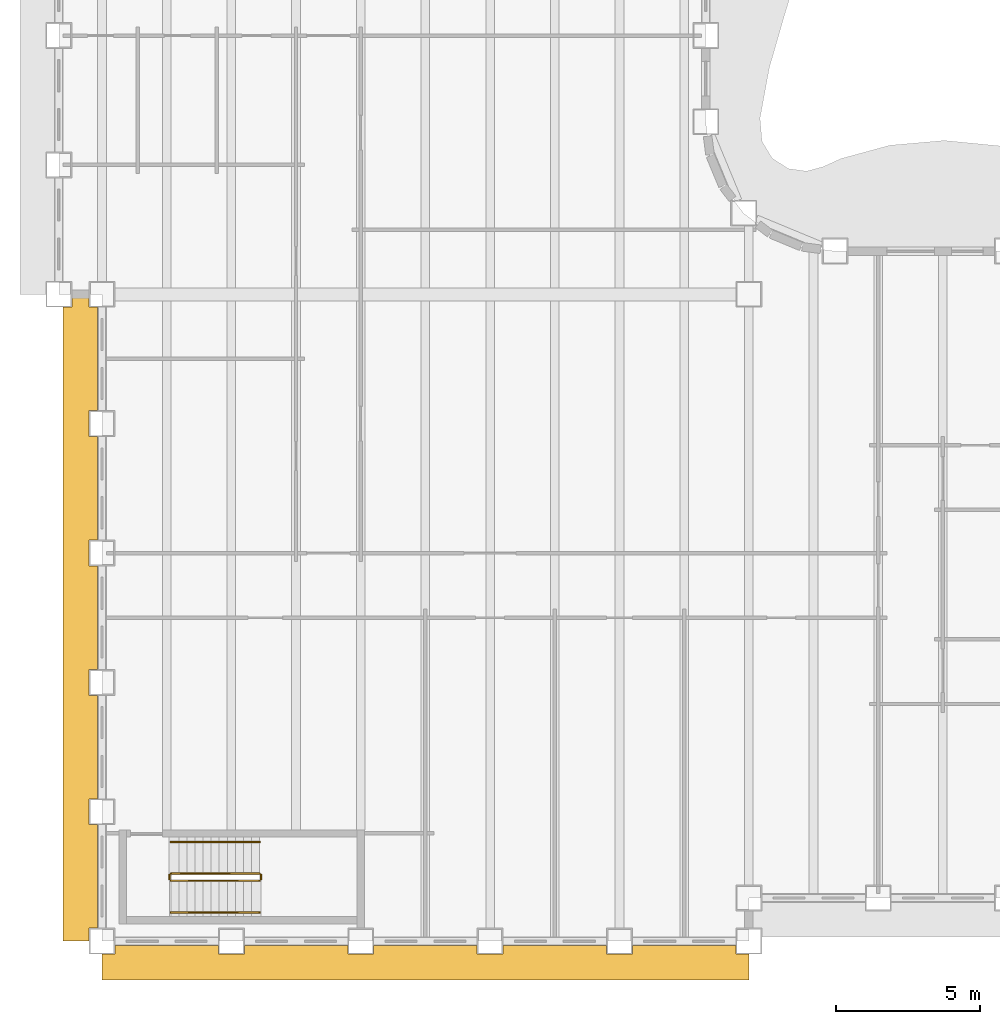
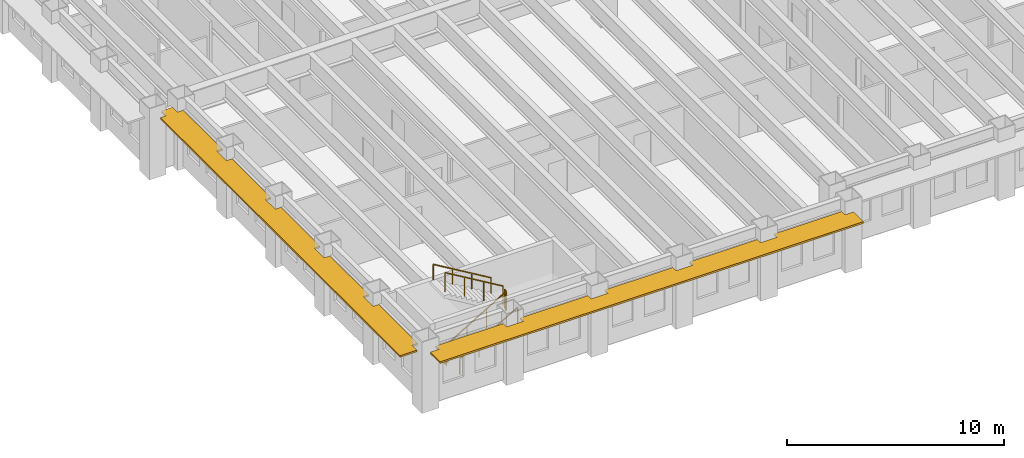
# One storey, part 11 of 16: 6 railings, 2 shading devices.
"""IFC4 building model written with IfcOpenShell, lengths in metres."""

from ifc_helpers import new_model, si_unit, direction, frame, origin, origin_2d, place, context, subcontext, project, spatial, polyline, rectangle, outline, extrude, material, layer, layer_set, type_object, element, save


model = new_model("IFC4")

# Units and contexts
model_context = context("Model", 3, precision=1e-05, world=origin(), true_north=direction((0.0, 1.0)))
body_context = subcontext(model_context, "Body", "Model", "MODEL_VIEW")
ifc_project = project(units=[si_unit("LENGTHUNIT", "METRE"), si_unit("AREAUNIT", "SQUARE_METRE"), si_unit("VOLUMEUNIT", "CUBIC_METRE"), si_unit("PLANEANGLEUNIT", "RADIAN"), si_unit("MASSUNIT", "GRAM", prefix="KILO")], contexts=[model_context])

# Site, building, storey
site_placement = place(None, origin())
site = spatial("IfcSite", under=ifc_project, at=site_placement, CompositionType="ELEMENT")
building_placement = place(site_placement, origin())
building = spatial("IfcBuilding", under=site, at=building_placement, Name="Sennacour Bend Tower", CompositionType="ELEMENT")
storey_placement = place(building_placement, frame((0.0, 0.0, 175.0)))
storey = spatial("IfcBuildingStorey", under=building, at=storey_placement, Name="L40", CompositionType="ELEMENT", Elevation=175.0)

# Railings
ifc_material_1 = material(Name="Stainless steel", Category="steel")
railing_type_1 = type_object("IfcRailingType", Name="RL-GUARD-1100", PredefinedType="GUARDRAIL", material=ifc_material_1)
railing_1_placement = place(storey_placement, frame((2.39990234375, 2.10009765625, 0.166748046875)))
element("IfcRailing", 1, at=railing_1_placement, inside=storey, type_object=railing_type_1, Name="L40 SK1 stair guard 1", PredefinedType="GUARDRAIL", context=body_context, shape_type="SweptSolid", body=[
    extrude(rectangle(XDim=0.048095703125, YDim=0.048095703125, at=origin_2d()), frame((0.0, 0.0, 1.076171875), z_axis=(0.859308565015, 0.0, 0.511457515432), x_axis=(0.0, 1.0, 0.0)), (0.0, 0.0, 1.0), 3.58447265625),
    extrude(rectangle(XDim=0.0419921875, YDim=0.0419921875, at=origin_2d()), origin(), (0.0, 0.0, 1.0), 1.052001953125),
    extrude(rectangle(XDim=0.0419921875, YDim=0.0419921875, at=origin_2d()), frame((1.026611328125, 0.0, 0.611083984375)), (0.0, 0.0, 1.0), 1.052001953125),
    extrude(rectangle(XDim=0.0419921875, YDim=0.0419921875, at=origin_2d()), frame((2.053466796875, 0.0, 1.22216796875)), (0.0, 0.0, 1.0), 1.052001953125),
    extrude(rectangle(XDim=0.0419921875, YDim=0.0419921875, at=origin_2d()), frame((3.080078125, 0.0, 1.833251953125)), (0.0, 0.0, 1.0), 1.052001953125),
])
railing_2_placement = place(storey_placement, frame((5.530029296875, 2.14990234375, 2.0)))
element("IfcRailing", 2, at=railing_2_placement, inside=storey, type_object=railing_type_1, Name="L40 SK1 stair guard 2", PredefinedType="GUARDRAIL", context=body_context, shape_type="SweptSolid", body=[
    extrude(rectangle(XDim=0.048095703125, YDim=0.048095703125, at=origin_2d()), frame((0.0, 0.0, 1.076171875), z_axis=(0.0, 1.0, 0.0), x_axis=(-1.0, 0.0, 0.0)), (0.0, 0.0, 1.0), 0.150146484375),
    extrude(rectangle(XDim=0.0419921875, YDim=0.0419921875, at=origin_2d()), origin(), (0.0, 0.0, 1.0), 1.052001953125),
    extrude(rectangle(XDim=0.0419921875, YDim=0.0419921875, at=origin_2d()), frame((0.0, 0.150146484375, 0.0)), (0.0, 0.0, 1.0), 1.052001953125),
])
railing_3_placement = place(storey_placement, frame((5.47998046875, 2.35009765625, 2.166748046875)))
element("IfcRailing", 3, at=railing_3_placement, inside=storey, type_object=railing_type_1, Name="L40 SK1 stair guard 3", PredefinedType="GUARDRAIL", context=body_context, shape_type="SweptSolid", body=[
    extrude(rectangle(XDim=0.048095703125, YDim=0.048095703125, at=origin_2d()), frame((0.0, 0.0, 1.076171875), z_axis=(-0.859308565015, 0.0, 0.511457515432), x_axis=(0.0, -1.0, 0.0)), (0.0, 0.0, 1.0), 3.58447265625),
    extrude(rectangle(XDim=0.0419921875, YDim=0.0419921875, at=origin_2d()), origin(), (0.0, 0.0, 1.0), 1.052001953125),
    extrude(rectangle(XDim=0.0419921875, YDim=0.0419921875, at=origin_2d()), frame((-1.026611328125, 0.0, 0.611083984375)), (0.0, 0.0, 1.0), 1.052001953125),
    extrude(rectangle(XDim=0.0419921875, YDim=0.0419921875, at=origin_2d()), frame((-2.053466796875, 0.0, 1.22216796875)), (0.0, 0.0, 1.0), 1.052001953125),
    extrude(rectangle(XDim=0.0419921875, YDim=0.0419921875, at=origin_2d()), frame((-3.080078125, 0.0, 1.833251953125)), (0.0, 0.0, 1.0), 1.052001953125),
])
railing_4_placement = place(storey_placement, frame((2.35009765625, 2.14990234375, 0.0)))
element("IfcRailing", 4, at=railing_4_placement, inside=storey, type_object=railing_type_1, Name="L40 SK1 stair guard 4", PredefinedType="GUARDRAIL", context=body_context, shape_type="SweptSolid", body=[
    extrude(rectangle(XDim=0.048095703125, YDim=0.048095703125, at=origin_2d()), frame((0.0, 0.0, 1.076171875), z_axis=(0.0, 1.0, 0.0), x_axis=(-1.0, 0.0, 0.0)), (0.0, 0.0, 1.0), 0.150146484375),
    extrude(rectangle(XDim=0.0419921875, YDim=0.0419921875, at=origin_2d()), origin(), (0.0, 0.0, 1.0), 1.052001953125),
    extrude(rectangle(XDim=0.0419921875, YDim=0.0419921875, at=origin_2d()), frame((0.0, 0.150146484375, 0.0)), (0.0, 0.0, 1.0), 1.052001953125),
])
railing_type_2 = type_object("IfcRailingType", Name="RL-HANDRAIL-900", PredefinedType="HANDRAIL", material=ifc_material_1)
railing_5_placement = place(storey_placement, frame((2.39990234375, 1.0, 0.166748046875)))
element("IfcRailing", 5, at=railing_5_placement, inside=storey, type_object=railing_type_2, Name="L40 SK1 stair handrail 1", PredefinedType="HANDRAIL", context=body_context, shape_type="SweptSolid", body=[
    extrude(rectangle(XDim=0.048095703125, YDim=0.048095703125, at=origin_2d()), frame((0.0, 0.0, 0.8759765625), z_axis=(0.859308565015, 0.0, 0.511457515432), x_axis=(0.0, 1.0, 0.0)), (0.0, 0.0, 1.0), 3.58447265625),
    extrude(rectangle(XDim=0.0419921875, YDim=0.0419921875, at=origin_2d()), origin(), (0.0, 0.0, 1.0), 0.851806640625),
    extrude(rectangle(XDim=0.0419921875, YDim=0.0419921875, at=origin_2d()), frame((1.026611328125, 0.0, 0.611083984375)), (0.0, 0.0, 1.0), 0.851806640625),
    extrude(rectangle(XDim=0.0419921875, YDim=0.0419921875, at=origin_2d()), frame((2.053466796875, 0.0, 1.22216796875)), (0.0, 0.0, 1.0), 0.851806640625),
    extrude(rectangle(XDim=0.0419921875, YDim=0.0419921875, at=origin_2d()), frame((3.080078125, 0.0, 1.833251953125)), (0.0, 0.0, 1.0), 0.851806640625),
])
railing_6_placement = place(storey_placement, frame((5.47998046875, 3.449951171875, 2.166748046875)))
element("IfcRailing", 6, at=railing_6_placement, inside=storey, type_object=railing_type_2, Name="L40 SK1 stair handrail 2", PredefinedType="HANDRAIL", context=body_context, shape_type="SweptSolid", body=[
    extrude(rectangle(XDim=0.048095703125, YDim=0.048095703125, at=origin_2d()), frame((0.0, 0.0, 0.8759765625), z_axis=(-0.859308565015, 0.0, 0.511457515432), x_axis=(0.0, -1.0, 0.0)), (0.0, 0.0, 1.0), 3.58447265625),
    extrude(rectangle(XDim=0.0419921875, YDim=0.0419921875, at=origin_2d()), origin(), (0.0, 0.0, 1.0), 0.851806640625),
    extrude(rectangle(XDim=0.0419921875, YDim=0.0419921875, at=origin_2d()), frame((-1.026611328125, 0.0, 0.611083984375)), (0.0, 0.0, 1.0), 0.851806640625),
    extrude(rectangle(XDim=0.0419921875, YDim=0.0419921875, at=origin_2d()), frame((-2.053466796875, 0.0, 1.22216796875)), (0.0, 0.0, 1.0), 0.851806640625),
    extrude(rectangle(XDim=0.0419921875, YDim=0.0419921875, at=origin_2d()), frame((-3.080078125, 0.0, 1.833251953125)), (0.0, 0.0, 1.0), 0.851806640625),
])

# Shading devices
ifc_material_2 = material(Name="Bronze anodised aluminium", Category="aluminium")
ifc_layer = layer(ifc_material_2, 0.10009765625, Name="Bronze anodised aluminium", Category="aluminium")
ifc_layer_set = layer_set([ifc_layer], Name="Bronze anodised aluminium")
shading_device_type = type_object("IfcShadingDeviceType", Name="SUNSHADE BAND STRAIGHT", PredefinedType="USERDEFINED", material=ifc_layer_set)
shading_device_1_placement = place(storey_placement, frame((0.0, 0.0, 3.049072265625)))
element("IfcShadingDevice", 7, at=shading_device_1_placement, inside=storey, type_object=shading_device_type, Name="Sunshade band L40 K outer face", ObjectType="SUNSHADE", PredefinedType="USERDEFINED", context=body_context, shape_type="SweptSolid", body=[
    extrude(outline(polyline([(4.050048828125, -0.14990234375), (4.050048828125, -0.449951171875), (4.949951171875, -0.449951171875), (4.949951171875, -0.14990234375), (8.550048828125, -0.14990234375), (8.550048828125, -0.449951171875), (9.449951171875, -0.449951171875), (9.449951171875, -0.14990234375), (13.050048828125, -0.14990234375), (13.050048828125, -0.449951171875), (13.949951171875, -0.449951171875), (13.949951171875, -0.14990234375), (17.550048828125, -0.14990234375), (17.550048828125, -0.449951171875), (18.449951171875, -0.449951171875), (18.449951171875, -0.14990234375), (22.050048828125, -0.14990234375), (22.050048828125, -0.449951171875), (22.5, -0.449951171875), (22.5, -1.35009765625), (0.0, -1.35009765625), (0.0, -0.449951171875), (0.449951171875, -0.449951171875), (0.449951171875, -0.14990234375), (4.050048828125, -0.14990234375)])), origin(), (0.0, 0.0, 1.0), 0.099853515625),
])
shading_device_2_placement = place(storey_placement, frame((0.0, 0.0, 3.049072265625)))
element("IfcShadingDevice", 8, at=shading_device_2_placement, inside=storey, type_object=shading_device_type, Name="Sunshade band L40 K outer face", ObjectType="SUNSHADE", PredefinedType="USERDEFINED", context=body_context, shape_type="SweptSolid", body=[
    extrude(outline(polyline([(-0.14990234375, 18.449951171875), (-0.449951171875, 18.449951171875), (-0.449951171875, 17.550048828125), (-0.14990234375, 17.550048828125), (-0.14990234375, 13.949951171875), (-0.449951171875, 13.949951171875), (-0.449951171875, 13.050048828125), (-0.14990234375, 13.050048828125), (-0.14990234375, 9.449951171875), (-0.449951171875, 9.449951171875), (-0.449951171875, 8.550048828125), (-0.14990234375, 8.550048828125), (-0.14990234375, 4.949951171875), (-0.449951171875, 4.949951171875), (-0.449951171875, 4.050048828125), (-0.14990234375, 4.050048828125), (-0.14990234375, 0.449951171875), (-0.449951171875, 0.449951171875), (-0.449951171875, 0.0), (-1.35009765625, 0.0), (-1.35009765625, 22.050048828125), (-1.050048828125, 22.050048828125), (-1.050048828125, 22.5), (-0.449951171875, 22.5), (-0.449951171875, 22.050048828125), (-0.14990234375, 22.050048828125), (-0.14990234375, 18.449951171875)])), origin(), (0.0, 0.0, 1.0), 0.099853515625),
])

save(model, "model.ifc")
